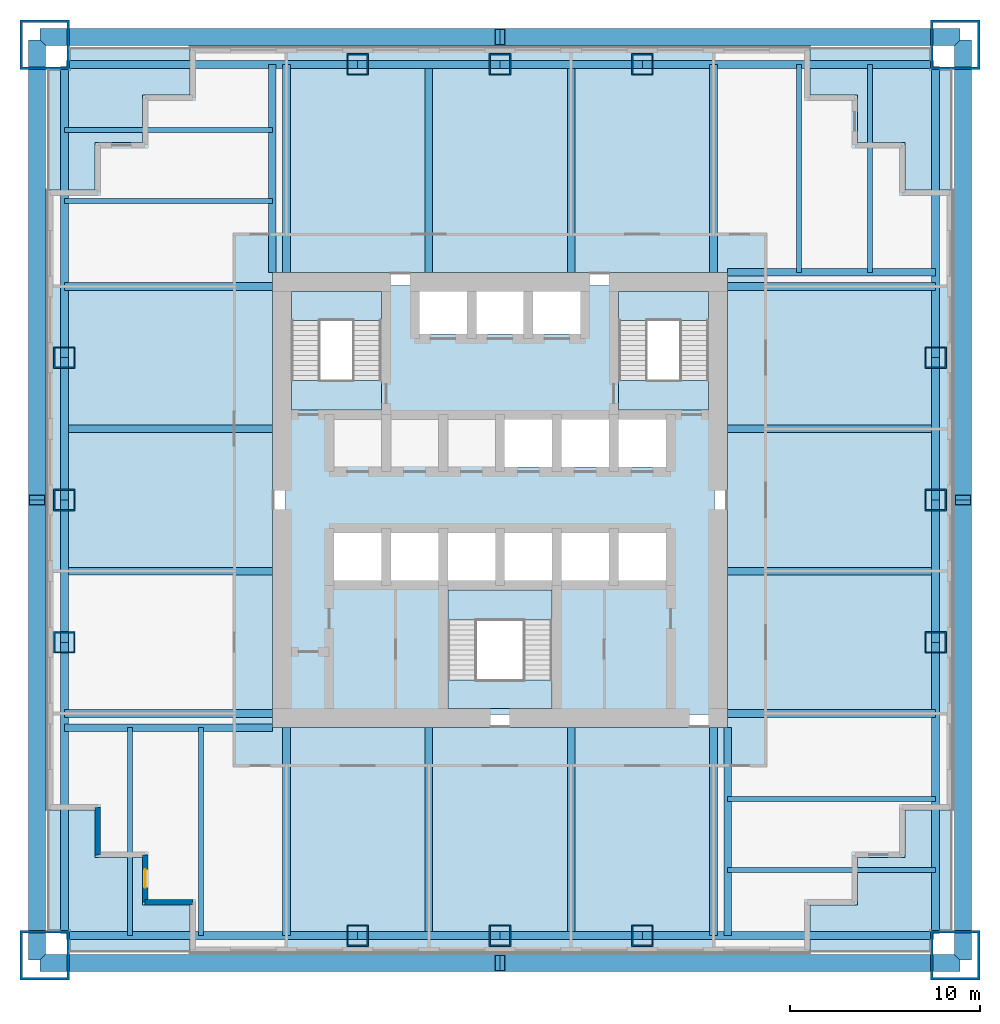
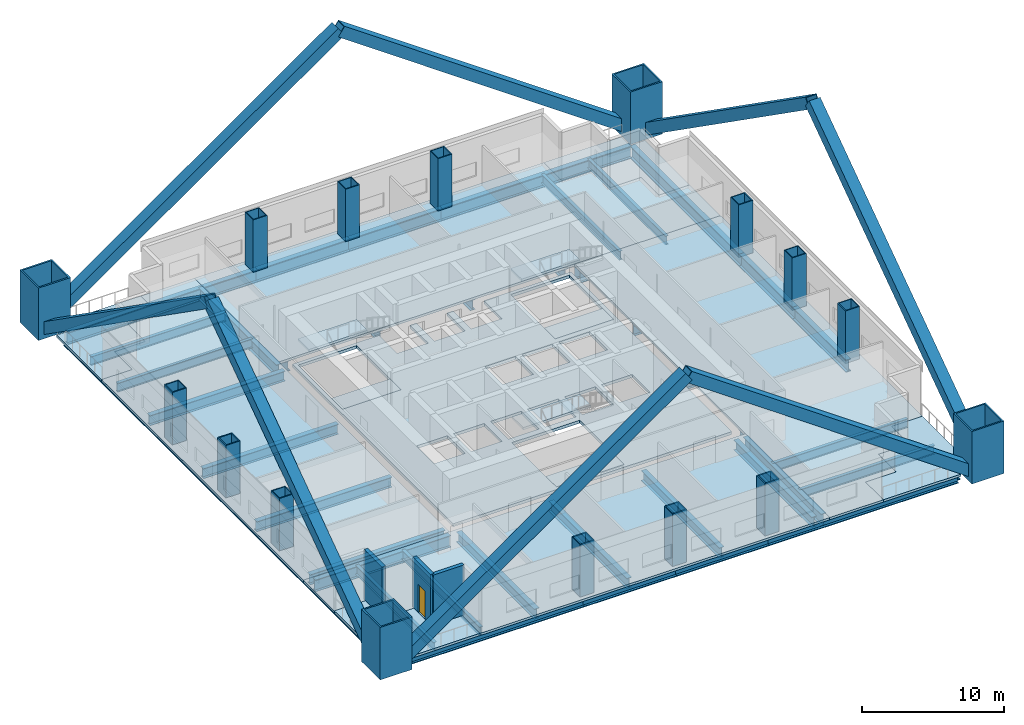
# One storey, part 1 of 6: 44 beams, 16 columns, 15 slabs, 8 members, 3 walls, 1 door, 1 opening, 3 elements without a shape of their own.
"""IFC4 building model written with IfcOpenShell, lengths in metres."""

from ifc_helpers import new_model, si_unit, direction, frame, frame_2d, origin, origin_2d, place, context, subcontext, project, spatial, polyline, rectangle, hollow_rectangle, i_section, outline, extrude, material, layer, layer_set, material_profile, profile_set, type_object, element, fill, aggregate, save


model = new_model("IFC4")

# Units and contexts
model_context = context("Model", 3, precision=1e-05, world=origin(), true_north=direction((0.0, 1.0)))
body_context = subcontext(model_context, "Body", "Model", "MODEL_VIEW")
ifc_project = project(units=[si_unit("LENGTHUNIT", "METRE"), si_unit("AREAUNIT", "SQUARE_METRE"), si_unit("VOLUMEUNIT", "CUBIC_METRE"), si_unit("PLANEANGLEUNIT", "RADIAN"), si_unit("MASSUNIT", "GRAM", prefix="KILO")], contexts=[model_context])

# Site, building, storey
site_placement = place(None, origin())
site = spatial("IfcSite", under=ifc_project, at=site_placement, CompositionType="ELEMENT")
building_placement = place(site_placement, origin())
building = spatial("IfcBuilding", under=site, at=building_placement, Name="Tarangal Relay Tower", CompositionType="ELEMENT")
storey_placement = place(building_placement, frame((0.0, 0.0, 104.39990234375)))
storey = spatial("IfcBuildingStorey", under=building, at=storey_placement, Name="L20", CompositionType="ELEMENT", Elevation=104.39990234375)

# Columns
ifc_material_1 = material(Name="Steel ASTM A572 Grade 42", Category="steel")
ifc_material_profile_1 = material_profile(ifc_material_1, hollow_rectangle(XDim=2.60009765625, YDim=2.60009765625, WallThickness=0.1298828125, at=origin_2d()), Name="BOX2600X2600X130")
ifc_profile_set_1 = profile_set([ifc_material_profile_1], Name="Steel ASTM A572 Grade 42")
column_type_1 = type_object("IfcColumnType", Name="Mega column BOX2600X2600X130", PredefinedType="COLUMN", material=ifc_profile_set_1)
for number, where, z_axis, x_axis, name in (
    (1, (24.0, 24.0, 0.0), (0.0, 0.0, 1.0), (1.0, 0.0, 0.0), "Mega column MC2 NE L20"),
    (2, (24.0, -24.0, 0.0), (0.0, 0.0, 1.0), (1.0, 0.0, 0.0), "Mega column MC2 SE L20"),
    (3, (-24.0, -24.0, 0.0), (0.0, 0.0, 1.0), (1.0, 0.0, 0.0), "Mega column MC2 SW L20"),
    (4, (-24.0, 24.0, 0.0), (0.0, 0.0, 1.0), (1.0, 0.0, 0.0), "Mega column MC2 NW L20"),
):
    element("IfcColumn", number, at=place(storey_placement, frame(where, z_axis=z_axis, x_axis=x_axis)), inside=storey, type_object=column_type_1, Name=name, PredefinedType="COLUMN", context=body_context, shape_type="SweptSolid", body=[
        extrude(hollow_rectangle(XDim=2.60009765625, YDim=2.60009765625, WallThickness=0.1298828125, at=origin_2d()), origin(), (0.0, 0.0, 1.0), 4.5),
    ])
ifc_material_2 = material(Name="Steel ASTM A572 Grade 50", Category="steel")
ifc_material_profile_2 = material_profile(ifc_material_2, hollow_rectangle(XDim=1.14990234375, YDim=1.14990234375, WallThickness=0.074951171875, at=origin_2d()), Name="BOX1150X1150X75")
ifc_profile_set_2 = profile_set([ifc_material_profile_2], Name="Steel ASTM A572 Grade 50")
column_type_2 = type_object("IfcColumnType", Name="Perimeter column BOX1150X1150X75", PredefinedType="COLUMN", material=ifc_profile_set_2)
for number, where, z_axis, x_axis, name in (
    (5, (-7.5, 22.965087890625, 0.0), (0.0, 0.0, 1.0), (1.0, 0.0, 0.0), "Perimeter column PC3 N L20"),
    (6, (0.0, 22.965087890625, 0.0), (0.0, 0.0, 1.0), (1.0, 0.0, 0.0), "Perimeter column PC3 N L20"),
    (7, (7.5, 22.965087890625, 0.0), (0.0, 0.0, 1.0), (1.0, 0.0, 0.0), "Perimeter column PC3 N L20"),
    (8, (22.965087890625, 7.5, 0.0), (0.0, 0.0, 1.0), (1.0, 0.0, 0.0), "Perimeter column PC3 E L20"),
    (9, (22.965087890625, 0.0, 0.0), (0.0, 0.0, 1.0), (1.0, 0.0, 0.0), "Perimeter column PC3 E L20"),
    (10, (22.965087890625, -7.5, 0.0), (0.0, 0.0, 1.0), (1.0, 0.0, 0.0), "Perimeter column PC3 E L20"),
    (11, (7.5, -22.965087890625, 0.0), (0.0, 0.0, 1.0), (1.0, 0.0, 0.0), "Perimeter column PC3 S L20"),
    (12, (0.0, -22.965087890625, 0.0), (0.0, 0.0, 1.0), (1.0, 0.0, 0.0), "Perimeter column PC3 S L20"),
    (13, (-7.5, -22.965087890625, 0.0), (0.0, 0.0, 1.0), (1.0, 0.0, 0.0), "Perimeter column PC3 S L20"),
    (14, (-22.965087890625, -7.5, 0.0), (0.0, 0.0, 1.0), (1.0, 0.0, 0.0), "Perimeter column PC3 W L20"),
    (15, (-22.965087890625, 0.0, 0.0), (0.0, 0.0, 1.0), (1.0, 0.0, 0.0), "Perimeter column PC3 W L20"),
    (16, (-22.965087890625, 7.5, 0.0), (0.0, 0.0, 1.0), (1.0, 0.0, 0.0), "Perimeter column PC3 W L20"),
):
    element("IfcColumn", number, at=place(storey_placement, frame(where, z_axis=z_axis, x_axis=x_axis)), inside=storey, type_object=column_type_2, Name=name, PredefinedType="COLUMN", context=body_context, shape_type="SweptSolid", body=[
        extrude(hollow_rectangle(XDim=1.14990234375, YDim=1.14990234375, WallThickness=0.074951171875, at=origin_2d()), origin(), (0.0, 0.0, 1.0), 4.5),
    ])

# Beams
ifc_material_3 = material(Name="Steel ASTM A992", Category="steel")
ifc_material_profile_3 = material_profile(ifc_material_3, i_section(OverallWidth=0.2666015625, OverallDepth=0.76953125, WebThickness=0.015625, FlangeThickness=0.025390625, at=origin_2d()), Name="W30X132")
ifc_profile_set_3 = profile_set([ifc_material_profile_3], Name="Steel ASTM A992")
beam_type_1 = type_object("IfcBeamType", Name="Corner beam W30X132", PredefinedType="JOIST", material=ifc_profile_set_3)
for number, where, z_axis, x_axis, name in (
    (17, (15.75, 12.0, -0.584716796875), (0.0, 1.0, 0.0), (-1.0, 0.0, 0.0), "Corner beam CB13 N L20"),
    (18, (19.5, 12.0, -0.584716796875), (0.0, 1.0, 0.0), (-1.0, 0.0, 0.0), "Corner beam CB13 N L20"),
    (19, (12.0, -15.75, -0.584716796875), (1.0, 0.0, 0.0), (0.0, 1.0, 0.0), "Corner beam CB13 E L20"),
    (20, (12.0, -19.5, -0.584716796875), (1.0, 0.0, 0.0), (0.0, 1.0, 0.0), "Corner beam CB13 E L20"),
    (21, (-15.75, -12.0, -0.584716796875), (0.0, -1.0, 0.0), (1.0, 0.0, 0.0), "Corner beam CB13 S L20"),
    (22, (-19.5, -12.0, -0.584716796875), (0.0, -1.0, 0.0), (1.0, 0.0, 0.0), "Corner beam CB13 S L20"),
    (23, (-12.0, 15.75, -0.584716796875), (-1.0, 0.0, 0.0), (0.0, -1.0, 0.0), "Corner beam CB13 W L20"),
    (24, (-12.0, 19.5, -0.584716796875), (-1.0, 0.0, 0.0), (0.0, -1.0, 0.0), "Corner beam CB13 W L20"),
):
    element("IfcBeam", number, at=place(storey_placement, frame(where, z_axis=z_axis, x_axis=x_axis)), inside=storey, type_object=beam_type_1, Name=name, PredefinedType="JOIST", context=body_context, shape_type="SweptSolid", body=[
        extrude(i_section(OverallWidth=0.2666015625, OverallDepth=0.76953125, WebThickness=0.015625, FlangeThickness=0.025390625, at=origin_2d()), origin(), (0.0, 0.0, 1.0), 10.965087890625),
    ])
ifc_material_profile_4 = material_profile(ifc_material_3, i_section(OverallWidth=0.4013671875, OverallDepth=1.01611328125, WebThickness=0.02099609375, FlangeThickness=0.0400390625, at=origin_2d()), Name="W40X277")
ifc_profile_set_4 = profile_set([ifc_material_profile_4], Name="Steel ASTM A992")
beam_type_2 = type_object("IfcBeamType", Name="Corner girder W40X277", PredefinedType="BEAM", material=ifc_profile_set_4)
for number, where, z_axis, x_axis, name in (
    (25, (12.0, 12.0, -0.7080078125), (1.0, 0.0, 0.0), (0.0, 1.0, 0.0), "Corner girder CG3 N L20"),
    (26, (12.0, -12.0, -0.7080078125), (0.0, -1.0, 0.0), (1.0, 0.0, 0.0), "Corner girder CG3 E L20"),
    (27, (-12.0, -12.0, -0.7080078125), (-1.0, 0.0, 0.0), (0.0, -1.0, 0.0), "Corner girder CG3 S L20"),
    (28, (-12.0, 12.0, -0.7080078125), (0.0, 1.0, 0.0), (-1.0, 0.0, 0.0), "Corner girder CG3 W L20"),
):
    element("IfcBeam", number, at=place(storey_placement, frame(where, z_axis=z_axis, x_axis=x_axis)), inside=storey, type_object=beam_type_2, Name=name, PredefinedType="BEAM", context=body_context, shape_type="SweptSolid", body=[
        extrude(i_section(OverallWidth=0.4013671875, OverallDepth=1.01611328125, WebThickness=0.02099609375, FlangeThickness=0.0400390625, at=origin_2d()), origin(), (0.0, 0.0, 1.0), 10.965087890625),
    ])
ifc_material_profile_5 = material_profile(ifc_material_3, i_section(OverallWidth=0.41650390625, OverallDepth=1.0693359375, WebThickness=0.0390625, FlangeThickness=0.070068359375, at=origin_2d()), Name="W40X503")
ifc_profile_set_5 = profile_set([ifc_material_profile_5], Name="Steel ASTM A992")
beam_type_3 = type_object("IfcBeamType", Name="Edge girder W40X503", PredefinedType="SPANDREL", material=ifc_profile_set_5)
beam_1_placement = place(storey_placement, frame((-22.85009765625, 22.965087890625, -0.734619140625), z_axis=(1.0, 0.0, 0.0), x_axis=(0.0, 1.0, 0.0)))
element("IfcBeam", 29, at=beam_1_placement, inside=storey, type_object=beam_type_3, Name="Edge girder EG8 N L20", PredefinedType="SPANDREL", context=body_context, shape_type="SweptSolid", body=[
    extrude(i_section(OverallWidth=0.41650390625, OverallDepth=1.0693359375, WebThickness=0.0390625, FlangeThickness=0.070068359375, at=origin_2d()), origin(), (0.0, 0.0, 1.0), 15.35009765625),
])
for number, where, z_axis, x_axis, name in (
    (30, (-7.5, 22.965087890625, -0.734619140625), (1.0, 0.0, 0.0), (0.0, 1.0, 0.0), "Edge girder EG8 N L20"),
    (31, (0.0, 22.965087890625, -0.734619140625), (1.0, 0.0, 0.0), (0.0, 1.0, 0.0), "Edge girder EG8 N L20"),
):
    element("IfcBeam", number, at=place(storey_placement, frame(where, z_axis=z_axis, x_axis=x_axis)), inside=storey, type_object=beam_type_3, Name=name, PredefinedType="SPANDREL", context=body_context, shape_type="SweptSolid", body=[
        extrude(i_section(OverallWidth=0.41650390625, OverallDepth=1.0693359375, WebThickness=0.0390625, FlangeThickness=0.070068359375, at=origin_2d()), origin(), (0.0, 0.0, 1.0), 7.5),
    ])
for number, where, z_axis, x_axis, name in (
    (32, (7.5, 22.965087890625, -0.734619140625), (1.0, 0.0, 0.0), (0.0, 1.0, 0.0), "Edge girder EG8 N L20"),
    (33, (22.965087890625, 22.85009765625, -0.734619140625), (0.0, -1.0, 0.0), (1.0, 0.0, 0.0), "Edge girder EG8 E L20"),
):
    element("IfcBeam", number, at=place(storey_placement, frame(where, z_axis=z_axis, x_axis=x_axis)), inside=storey, type_object=beam_type_3, Name=name, PredefinedType="SPANDREL", context=body_context, shape_type="SweptSolid", body=[
        extrude(i_section(OverallWidth=0.41650390625, OverallDepth=1.0693359375, WebThickness=0.0390625, FlangeThickness=0.070068359375, at=origin_2d()), origin(), (0.0, 0.0, 1.0), 15.35009765625),
    ])
for number, where, z_axis, x_axis, name in (
    (34, (22.965087890625, 7.5, -0.734619140625), (0.0, -1.0, 0.0), (1.0, 0.0, 0.0), "Edge girder EG8 E L20"),
    (35, (22.965087890625, 0.0, -0.734619140625), (0.0, -1.0, 0.0), (1.0, 0.0, 0.0), "Edge girder EG8 E L20"),
):
    element("IfcBeam", number, at=place(storey_placement, frame(where, z_axis=z_axis, x_axis=x_axis)), inside=storey, type_object=beam_type_3, Name=name, PredefinedType="SPANDREL", context=body_context, shape_type="SweptSolid", body=[
        extrude(i_section(OverallWidth=0.41650390625, OverallDepth=1.0693359375, WebThickness=0.0390625, FlangeThickness=0.070068359375, at=origin_2d()), origin(), (0.0, 0.0, 1.0), 7.5),
    ])
for number, where, z_axis, x_axis, name in (
    (36, (22.965087890625, -7.5, -0.734619140625), (0.0, -1.0, 0.0), (1.0, 0.0, 0.0), "Edge girder EG8 E L20"),
    (37, (22.85009765625, -22.965087890625, -0.734619140625), (-1.0, 0.0, 0.0), (0.0, -1.0, 0.0), "Edge girder EG8 S L20"),
):
    element("IfcBeam", number, at=place(storey_placement, frame(where, z_axis=z_axis, x_axis=x_axis)), inside=storey, type_object=beam_type_3, Name=name, PredefinedType="SPANDREL", context=body_context, shape_type="SweptSolid", body=[
        extrude(i_section(OverallWidth=0.41650390625, OverallDepth=1.0693359375, WebThickness=0.0390625, FlangeThickness=0.070068359375, at=origin_2d()), origin(), (0.0, 0.0, 1.0), 15.35009765625),
    ])
for number, where, z_axis, x_axis, name in (
    (38, (7.5, -22.965087890625, -0.734619140625), (-1.0, 0.0, 0.0), (0.0, -1.0, 0.0), "Edge girder EG8 S L20"),
    (39, (0.0, -22.965087890625, -0.734619140625), (-1.0, 0.0, 0.0), (0.0, -1.0, 0.0), "Edge girder EG8 S L20"),
):
    element("IfcBeam", number, at=place(storey_placement, frame(where, z_axis=z_axis, x_axis=x_axis)), inside=storey, type_object=beam_type_3, Name=name, PredefinedType="SPANDREL", context=body_context, shape_type="SweptSolid", body=[
        extrude(i_section(OverallWidth=0.41650390625, OverallDepth=1.0693359375, WebThickness=0.0390625, FlangeThickness=0.070068359375, at=origin_2d()), origin(), (0.0, 0.0, 1.0), 7.5),
    ])
for number, where, z_axis, x_axis, name in (
    (40, (-7.5, -22.965087890625, -0.734619140625), (-1.0, 0.0, 0.0), (0.0, -1.0, 0.0), "Edge girder EG8 S L20"),
    (41, (-22.965087890625, -22.85009765625, -0.734619140625), (0.0, 1.0, 0.0), (-1.0, 0.0, 0.0), "Edge girder EG8 W L20"),
):
    element("IfcBeam", number, at=place(storey_placement, frame(where, z_axis=z_axis, x_axis=x_axis)), inside=storey, type_object=beam_type_3, Name=name, PredefinedType="SPANDREL", context=body_context, shape_type="SweptSolid", body=[
        extrude(i_section(OverallWidth=0.41650390625, OverallDepth=1.0693359375, WebThickness=0.0390625, FlangeThickness=0.070068359375, at=origin_2d()), origin(), (0.0, 0.0, 1.0), 15.35009765625),
    ])
for number, where, z_axis, x_axis, name in (
    (42, (-22.965087890625, -7.5, -0.734619140625), (0.0, 1.0, 0.0), (-1.0, 0.0, 0.0), "Edge girder EG8 W L20"),
    (43, (-22.965087890625, 0.0, -0.734619140625), (0.0, 1.0, 0.0), (-1.0, 0.0, 0.0), "Edge girder EG8 W L20"),
):
    element("IfcBeam", number, at=place(storey_placement, frame(where, z_axis=z_axis, x_axis=x_axis)), inside=storey, type_object=beam_type_3, Name=name, PredefinedType="SPANDREL", context=body_context, shape_type="SweptSolid", body=[
        extrude(i_section(OverallWidth=0.41650390625, OverallDepth=1.0693359375, WebThickness=0.0390625, FlangeThickness=0.070068359375, at=origin_2d()), origin(), (0.0, 0.0, 1.0), 7.5),
    ])
beam_2_placement = place(storey_placement, frame((-22.965087890625, 7.5, -0.734619140625), z_axis=(0.0, 1.0, 0.0), x_axis=(-1.0, 0.0, 0.0)))
element("IfcBeam", 44, at=beam_2_placement, inside=storey, type_object=beam_type_3, Name="Edge girder EG8 W L20", PredefinedType="SPANDREL", context=body_context, shape_type="SweptSolid", body=[
    extrude(i_section(OverallWidth=0.41650390625, OverallDepth=1.0693359375, WebThickness=0.0390625, FlangeThickness=0.070068359375, at=origin_2d()), origin(), (0.0, 0.0, 1.0), 15.35009765625),
])
ifc_material_profile_6 = material_profile(ifc_material_3, i_section(OverallWidth=0.40380859375, OverallDepth=0.86865234375, WebThickness=0.02099609375, FlangeThickness=0.03564453125, at=origin_2d()), Name="W33X241")
ifc_profile_set_6 = profile_set([ifc_material_profile_6], Name="Steel ASTM A992")
beam_type_4 = type_object("IfcBeamType", Name="Floor beam W33X241", PredefinedType="BEAM", material=ifc_profile_set_6)
for number, where, z_axis, x_axis, name in (
    (45, (-11.25, 12.0, -0.63427734375), (0.0, 1.0, 0.0), (-1.0, 0.0, 0.0), "Floor beam RB11 N L20"),
    (46, (-3.75, 12.0, -0.63427734375), (0.0, 1.0, 0.0), (-1.0, 0.0, 0.0), "Floor beam RB11 N L20"),
    (47, (3.75, 12.0, -0.63427734375), (0.0, 1.0, 0.0), (-1.0, 0.0, 0.0), "Floor beam RB11 N L20"),
    (48, (11.25, 12.0, -0.63427734375), (0.0, 1.0, 0.0), (-1.0, 0.0, 0.0), "Floor beam RB11 N L20"),
    (49, (12.0, 11.25, -0.63427734375), (1.0, 0.0, 0.0), (0.0, 1.0, 0.0), "Floor beam RB11 E L20"),
    (50, (12.0, 3.75, -0.63427734375), (1.0, 0.0, 0.0), (0.0, 1.0, 0.0), "Floor beam RB11 E L20"),
    (51, (12.0, -3.75, -0.63427734375), (1.0, 0.0, 0.0), (0.0, 1.0, 0.0), "Floor beam RB11 E L20"),
    (52, (12.0, -11.25, -0.63427734375), (1.0, 0.0, 0.0), (0.0, 1.0, 0.0), "Floor beam RB11 E L20"),
    (53, (11.25, -12.0, -0.63427734375), (0.0, -1.0, 0.0), (1.0, 0.0, 0.0), "Floor beam RB11 S L20"),
    (54, (3.75, -12.0, -0.63427734375), (0.0, -1.0, 0.0), (1.0, 0.0, 0.0), "Floor beam RB11 S L20"),
    (55, (-3.75, -12.0, -0.63427734375), (0.0, -1.0, 0.0), (1.0, 0.0, 0.0), "Floor beam RB11 S L20"),
    (56, (-11.25, -12.0, -0.63427734375), (0.0, -1.0, 0.0), (1.0, 0.0, 0.0), "Floor beam RB11 S L20"),
    (57, (-12.0, -11.25, -0.63427734375), (-1.0, 0.0, 0.0), (0.0, -1.0, 0.0), "Floor beam RB11 W L20"),
    (58, (-12.0, -3.75, -0.63427734375), (-1.0, 0.0, 0.0), (0.0, -1.0, 0.0), "Floor beam RB11 W L20"),
    (59, (-12.0, 3.75, -0.63427734375), (-1.0, 0.0, 0.0), (0.0, -1.0, 0.0), "Floor beam RB11 W L20"),
    (60, (-12.0, 11.25, -0.63427734375), (-1.0, 0.0, 0.0), (0.0, -1.0, 0.0), "Floor beam RB11 W L20"),
):
    element("IfcBeam", number, at=place(storey_placement, frame(where, z_axis=z_axis, x_axis=x_axis)), inside=storey, type_object=beam_type_4, Name=name, PredefinedType="BEAM", context=body_context, shape_type="SweptSolid", body=[
        extrude(i_section(OverallWidth=0.40380859375, OverallDepth=0.86865234375, WebThickness=0.02099609375, FlangeThickness=0.03564453125, at=origin_2d()), origin(), (0.0, 0.0, 1.0), 10.965087890625),
    ])

# Members
ifc_material_profile_7 = material_profile(ifc_material_2, hollow_rectangle(XDim=0.89990234375, YDim=0.89990234375, WallThickness=0.050048828125, at=origin_2d()), Name="BOX900X900X50")
ifc_profile_set_7 = profile_set([ifc_material_profile_7], Name="Steel ASTM A572 Grade 50")
member_type = type_object("IfcMemberType", Name="Mega brace BOX900X900X50", PredefinedType="BRACE", material=ifc_profile_set_7)
for number, where, z_axis, x_axis, name in (
    (61, (-24.0, 24.39990234375, 0.0), (0.818029158386, 0.0, 0.57517675199), (0.0, 1.0, 0.0), "Mega brace MB2 N face module 1"),
    (62, (24.0, 24.39990234375, 0.0), (-0.818029158386, 0.0, 0.57517675199), (0.0, -1.0, 0.0), "Mega brace MB2 N face module 1"),
    (63, (24.39990234375, 24.0, 0.0), (0.0, -0.818029158386, 0.57517675199), (1.0, 0.0, 0.0), "Mega brace MB2 E face module 1"),
    (64, (24.39990234375, -24.0, 0.0), (0.0, 0.818029158386, 0.57517675199), (-1.0, 0.0, 0.0), "Mega brace MB2 E face module 1"),
    (65, (24.0, -24.39990234375, 0.0), (-0.818029158386, 0.0, 0.57517675199), (0.0, -1.0, 0.0), "Mega brace MB2 S face module 1"),
    (66, (-24.0, -24.39990234375, 0.0), (0.818029158386, 0.0, 0.57517675199), (0.0, 1.0, 0.0), "Mega brace MB2 S face module 1"),
    (67, (-24.39990234375, -24.0, 0.0), (0.0, 0.818029158386, 0.57517675199), (-1.0, 0.0, 0.0), "Mega brace MB2 W face module 1"),
    (68, (-24.39990234375, 24.0, 0.0), (0.0, -0.818029158386, 0.57517675199), (1.0, 0.0, 0.0), "Mega brace MB2 W face module 1"),
):
    element("IfcMember", number, at=place(storey_placement, frame(where, z_axis=z_axis, x_axis=x_axis)), inside=storey, type_object=member_type, Name=name, PredefinedType="BRACE", context=body_context, shape_type="SweptSolid", body=[
        extrude(hollow_rectangle(XDim=0.89990234375, YDim=0.89990234375, WallThickness=0.050048828125, at=origin_2d()), origin(), (0.0, 0.0, 1.0), 29.3388671875),
    ])

# Slabs
ifc_material_4 = material(Name="Concrete fc' 35 MPa", Category="concrete")
ifc_layer_1 = layer(ifc_material_4, 0.25)
ifc_layer_set_1 = layer_set([ifc_layer_1], Name="Core floor slab 250")
slab_type_1 = type_object("IfcSlabType", Name="Core floor slab 250", PredefinedType="FLOOR", material=ifc_layer_set_1)
slab_1_placement = place(storey_placement, frame((0.0, 0.0, -0.25)))
element("IfcSlab", 69, at=slab_1_placement, inside=storey, type_object=slab_type_1, Name="Core floor slab L20", PredefinedType="FLOOR", context=body_context, shape_type="SweptSolid", body=[
    extrude(outline(polyline([(11.300048828125, 11.300048828125), (11.300048828125, -11.300048828125), (-11.300048828125, -11.300048828125), (-11.300048828125, 11.300048828125), (-4.25, 11.300048828125), (-4.25, 8.75), (-1.75, 8.75), (-1.75, 11.300048828125), (-1.25, 11.300048828125), (-1.25, 8.75), (1.25, 8.75), (1.25, 11.300048828125), (1.75, 11.300048828125), (1.75, 8.75), (4.25, 8.75), (4.25, 11.300048828125), (11.300048828125, 11.300048828125)]), holes=[polyline([(2.75, -4.75), (-2.75, -4.75), (-2.75, -11.0), (2.75, -11.0), (2.75, -4.75)]), polyline([(-6.25, -4.25), (-6.25, -1.75), (-8.75, -1.75), (-8.75, -4.25), (-6.25, -4.25)]), polyline([(-3.25, -4.25), (-3.25, -1.75), (-5.75, -1.75), (-5.75, -4.25), (-3.25, -4.25)]), polyline([(-0.25, -4.25), (-0.25, -1.75), (-2.75, -1.75), (-2.75, -4.25), (-0.25, -4.25)]), polyline([(2.75, 1.75), (2.75, 4.25), (0.25, 4.25), (0.25, 1.75), (2.75, 1.75)]), polyline([(-6.25, 4.75), (-6.25, 11.0), (-11.0, 11.0), (-11.0, 4.75), (-6.25, 4.75)]), polyline([(2.75, -4.25), (2.75, -1.75), (0.25, -1.75), (0.25, -4.25), (2.75, -4.25)]), polyline([(5.75, -4.25), (5.75, -1.75), (3.25, -1.75), (3.25, -4.25), (5.75, -4.25)]), polyline([(8.75, -4.25), (8.75, -1.75), (6.25, -1.75), (6.25, -4.25), (8.75, -4.25)]), polyline([(5.75, 1.75), (5.75, 4.25), (3.25, 4.25), (3.25, 1.75), (5.75, 1.75)]), polyline([(8.75, 1.75), (8.75, 4.25), (6.25, 4.25), (6.25, 1.75), (8.75, 1.75)]), polyline([(11.0, 4.75), (11.0, 11.0), (6.25, 11.0), (6.25, 4.75), (11.0, 4.75)])]), origin(), (0.0, 0.0, 1.0), 0.25),
])
ifc_layer_2 = layer(ifc_material_4, 0.199951171875)
ifc_layer_set_2 = layer_set([ifc_layer_2], Name="Floor slab 200")
slab_type_2 = type_object("IfcSlabType", Name="Floor slab 200", PredefinedType="FLOOR", material=ifc_layer_set_2)
slab_2_placement = place(storey_placement, frame((0.0, 0.0, -0.199951171875)))
element("IfcSlab", 70, at=slab_2_placement, inside=storey, type_object=slab_type_2, Name="Floor slab FS2 L20 north bay", PredefinedType="FLOOR", context=body_context, shape_type="SweptSolid", body=[
    extrude(outline(polyline([(16.35009765625, 23.85009765625), (16.35009765625, 21.35009765625), (18.85009765625, 21.35009765625), (18.85009765625, 18.85009765625), (21.35009765625, 18.85009765625), (21.35009765625, 16.35009765625), (23.85009765625, 16.35009765625), (23.85009765625, 12.0), (-12.0, 12.0), (-12.0, 23.85009765625), (16.35009765625, 23.85009765625)])), origin(), (0.0, 0.0, 1.0), 0.199951171875),
])
slab_3_placement = place(storey_placement, frame((0.0, 0.0, -0.199951171875)))
element("IfcSlab", 71, at=slab_3_placement, inside=storey, type_object=slab_type_2, Name="Floor slab FS2 L20 east bay", PredefinedType="FLOOR", context=body_context, shape_type="SweptSolid", body=[
    extrude(outline(polyline([(23.85009765625, -16.35009765625), (21.35009765625, -16.35009765625), (21.35009765625, -18.85009765625), (18.85009765625, -18.85009765625), (18.85009765625, -21.35009765625), (16.35009765625, -21.35009765625), (16.35009765625, -23.85009765625), (12.0, -23.85009765625), (12.0, 12.0), (23.85009765625, 12.0), (23.85009765625, -16.35009765625)])), origin(), (0.0, 0.0, 1.0), 0.199951171875),
])
slab_4_placement = place(storey_placement, frame((0.0, 0.0, -0.199951171875)))
element("IfcSlab", 72, at=slab_4_placement, inside=storey, type_object=slab_type_2, Name="Floor slab FS2 L20 south bay", PredefinedType="FLOOR", context=body_context, shape_type="SweptSolid", body=[
    extrude(outline(polyline([(-16.35009765625, -23.85009765625), (-16.35009765625, -21.35009765625), (-18.85009765625, -21.35009765625), (-18.85009765625, -18.85009765625), (-21.35009765625, -18.85009765625), (-21.35009765625, -16.35009765625), (-23.85009765625, -16.35009765625), (-23.85009765625, -12.0), (12.0, -12.0), (12.0, -23.85009765625), (-16.35009765625, -23.85009765625)])), origin(), (0.0, 0.0, 1.0), 0.199951171875),
])
slab_5_placement = place(storey_placement, frame((0.0, 0.0, -0.199951171875)))
element("IfcSlab", 73, at=slab_5_placement, inside=storey, type_object=slab_type_2, Name="Floor slab FS2 L20 west bay", PredefinedType="FLOOR", context=body_context, shape_type="SweptSolid", body=[
    extrude(outline(polyline([(-12.0, 23.85009765625), (-12.0, -12.0), (-23.85009765625, -12.0), (-23.85009765625, 16.35009765625), (-21.35009765625, 16.35009765625), (-21.35009765625, 18.85009765625), (-18.85009765625, 18.85009765625), (-18.85009765625, 21.35009765625), (-16.35009765625, 21.35009765625), (-16.35009765625, 23.85009765625), (-12.0, 23.85009765625)])), origin(), (0.0, 0.0, 1.0), 0.199951171875),
])

# Stair, slabs
ifc_material_5 = material(Name="Steel ASTM A992 stair flight", Category="steel")
stair_type = type_object("IfcStairType", Name="Core stair 1500", PredefinedType="HALF_TURN_STAIR", material=ifc_material_5)
stair_1_placement = place(storey_placement, origin())
stair_1 = element("IfcStair", 74, at=stair_1_placement, inside=storey, type_object=stair_type, Name="Stair ST-A L20", PredefinedType="HALF_TURN_STAIR")
ifc_layer_3 = layer(ifc_material_4, 0.199951171875)
ifc_layer_set_3 = layer_set([ifc_layer_3], Name="Stair landing 200")
slab_type_3 = type_object("IfcSlabType", Name="Stair landing 200", PredefinedType="LANDING", material=ifc_layer_set_3)
slab_6_placement = place(storey_placement, frame((0.0, 0.0, -0.199951171875)))
slab_6 = element("IfcSlab", 75, at=slab_6_placement, type_object=slab_type_3, Name="ST-A landing 1", PredefinedType="LANDING", context=body_context, shape_type="SweptSolid", body=[
    extrude(outline(polyline([(-11.0, 4.75), (-6.25, 4.75), (-6.25, 6.300048828125), (-11.0, 6.300048828125), (-11.0, 4.75)])), origin(), (0.0, 0.0, 1.0), 0.199951171875),
])
slab_7_placement = place(storey_placement, frame((0.0, 0.0, 2.050048828125)))
slab_7 = element("IfcSlab", 76, at=slab_7_placement, type_object=slab_type_3, Name="ST-A landing 2", PredefinedType="LANDING", context=body_context, shape_type="SweptSolid", body=[
    extrude(outline(polyline([(-11.0, 9.468017578125), (-6.25, 9.468017578125), (-6.25, 11.0), (-11.0, 11.0), (-11.0, 9.468017578125)])), origin(), (0.0, 0.0, 1.0), 0.199951171875),
])
aggregate(stair_1, [slab_6, slab_7])

stair_2_placement = place(storey_placement, origin())
stair_2 = element("IfcStair", 77, at=stair_2_placement, inside=storey, type_object=stair_type, Name="Stair ST-B L20", PredefinedType="HALF_TURN_STAIR")
slab_8_placement = place(storey_placement, frame((0.0, 0.0, -0.199951171875)))
slab_8 = element("IfcSlab", 78, at=slab_8_placement, type_object=slab_type_3, Name="ST-B landing 1", PredefinedType="LANDING", context=body_context, shape_type="SweptSolid", body=[
    extrude(outline(polyline([(6.25, 4.75), (11.0, 4.75), (11.0, 6.300048828125), (6.25, 6.300048828125), (6.25, 4.75)])), origin(), (0.0, 0.0, 1.0), 0.199951171875),
])
slab_9_placement = place(storey_placement, frame((0.0, 0.0, 2.050048828125)))
slab_9 = element("IfcSlab", 79, at=slab_9_placement, type_object=slab_type_3, Name="ST-B landing 2", PredefinedType="LANDING", context=body_context, shape_type="SweptSolid", body=[
    extrude(outline(polyline([(6.25, 9.468017578125), (11.0, 9.468017578125), (11.0, 11.0), (6.25, 11.0), (6.25, 9.468017578125)])), origin(), (0.0, 0.0, 1.0), 0.199951171875),
])
aggregate(stair_2, [slab_8, slab_9])

stair_3_placement = place(storey_placement, origin())
stair_3 = element("IfcStair", 80, at=stair_3_placement, inside=storey, type_object=stair_type, Name="Stair ST-C L20", PredefinedType="HALF_TURN_STAIR")
slab_10_placement = place(storey_placement, frame((0.0, 0.0, -0.199951171875)))
slab_10 = element("IfcSlab", 81, at=slab_10_placement, type_object=slab_type_3, Name="ST-C landing 1", PredefinedType="LANDING", context=body_context, shape_type="SweptSolid", body=[
    extrude(outline(polyline([(-2.75, -11.0), (2.75, -11.0), (2.75, -9.5), (-2.75, -9.5), (-2.75, -11.0)])), origin(), (0.0, 0.0, 1.0), 0.199951171875),
])
slab_11_placement = place(storey_placement, frame((0.0, 0.0, 2.050048828125)))
slab_11 = element("IfcSlab", 82, at=slab_11_placement, type_object=slab_type_3, Name="ST-C landing 2", PredefinedType="LANDING", context=body_context, shape_type="SweptSolid", body=[
    extrude(outline(polyline([(-2.75, -6.33203125), (2.75, -6.33203125), (2.75, -4.75), (-2.75, -4.75), (-2.75, -6.33203125)])), origin(), (0.0, 0.0, 1.0), 0.199951171875),
])
aggregate(stair_3, [slab_10, slab_11])

# Slabs
ifc_layer_4 = layer(ifc_material_4, 0.199951171875)
ifc_layer_set_4 = layer_set([ifc_layer_4], Name="Terrace slab 200")
slab_type_4 = type_object("IfcSlabType", Name="Terrace slab 200", PredefinedType="FLOOR", material=ifc_layer_set_4)
slab_12_placement = place(storey_placement, frame((0.0, 0.0, -0.199951171875)))
element("IfcSlab", 83, at=slab_12_placement, inside=storey, type_object=slab_type_4, Name="Corner terrace NE L20", PredefinedType="FLOOR", context=body_context, shape_type="SweptSolid", body=[
    extrude(outline(polyline([(16.35009765625, 23.85009765625), (16.35009765625, 21.35009765625), (18.85009765625, 21.35009765625), (18.85009765625, 18.85009765625), (21.35009765625, 18.85009765625), (21.35009765625, 16.35009765625), (23.85009765625, 16.35009765625), (23.85009765625, 22.64990234375), (22.64990234375, 22.64990234375), (22.64990234375, 23.85009765625), (16.35009765625, 23.85009765625)])), origin(), (0.0, 0.0, 1.0), 0.199951171875),
])
slab_13_placement = place(storey_placement, frame((0.0, 0.0, -0.199951171875)))
element("IfcSlab", 84, at=slab_13_placement, inside=storey, type_object=slab_type_4, Name="Corner terrace SE L20", PredefinedType="FLOOR", context=body_context, shape_type="SweptSolid", body=[
    extrude(outline(polyline([(23.85009765625, -16.35009765625), (21.35009765625, -16.35009765625), (21.35009765625, -18.85009765625), (18.85009765625, -18.85009765625), (18.85009765625, -21.35009765625), (16.35009765625, -21.35009765625), (16.35009765625, -23.85009765625), (22.64990234375, -23.85009765625), (22.64990234375, -22.64990234375), (23.85009765625, -22.64990234375), (23.85009765625, -16.35009765625)])), origin(), (0.0, 0.0, 1.0), 0.199951171875),
])
slab_14_placement = place(storey_placement, frame((0.0, 0.0, -0.199951171875)))
element("IfcSlab", 85, at=slab_14_placement, inside=storey, type_object=slab_type_4, Name="Corner terrace SW L20", PredefinedType="FLOOR", context=body_context, shape_type="SweptSolid", body=[
    extrude(outline(polyline([(-16.35009765625, -23.85009765625), (-16.35009765625, -21.35009765625), (-18.85009765625, -21.35009765625), (-18.85009765625, -18.85009765625), (-21.35009765625, -18.85009765625), (-21.35009765625, -16.35009765625), (-23.85009765625, -16.35009765625), (-23.85009765625, -22.64990234375), (-22.64990234375, -22.64990234375), (-22.64990234375, -23.85009765625), (-16.35009765625, -23.85009765625)])), origin(), (0.0, 0.0, 1.0), 0.199951171875),
])
slab_15_placement = place(storey_placement, frame((0.0, 0.0, -0.199951171875)))
element("IfcSlab", 86, at=slab_15_placement, inside=storey, type_object=slab_type_4, Name="Corner terrace NW L20", PredefinedType="FLOOR", context=body_context, shape_type="SweptSolid", body=[
    extrude(outline(polyline([(-23.85009765625, 16.35009765625), (-21.35009765625, 16.35009765625), (-21.35009765625, 18.85009765625), (-18.85009765625, 18.85009765625), (-18.85009765625, 21.35009765625), (-16.35009765625, 21.35009765625), (-16.35009765625, 23.85009765625), (-22.64990234375, 23.85009765625), (-22.64990234375, 22.64990234375), (-23.85009765625, 22.64990234375), (-23.85009765625, 16.35009765625)])), origin(), (0.0, 0.0, 1.0), 0.199951171875),
])

# Wall
ifc_material_6 = material(Name="Insulated precast concrete fc' 40 MPa", Category="concrete")
ifc_layer_5 = layer(ifc_material_6, 0.300048828125)
ifc_layer_set_5 = layer_set([ifc_layer_5], Name="Insulated precast concrete fc' 40 MPa")
wall_type = type_object("IfcWallType", Name="Facade wall precast 300", PredefinedType="SOLIDWALL", material=ifc_layer_set_5)
wall_1_placement = place(storey_placement, frame((-16.199951171875, -21.199951171875, 0.0), z_axis=(0.0, 0.0, 1.0), x_axis=(-1.0, 0.0, 0.0)))
element("IfcWall", 87, at=wall_1_placement, inside=storey, type_object=wall_type, Name="Facade wall S facade L20", PredefinedType="SOLIDWALL", context=body_context, shape_type="SweptSolid", body=[
    extrude(rectangle(XDim=2.5, YDim=0.300048828125, at=frame_2d((1.25, 0.0))), origin(), (0.0, 0.0, 1.0), 4.300048828125),
])

# Wall, opening, door
wall_2_placement = place(storey_placement, frame((-18.699951171875, -21.199951171875, 0.0), z_axis=(0.0, 0.0, 1.0), x_axis=(0.0, 1.0, 0.0)))
wall_2 = element("IfcWall", 88, at=wall_2_placement, inside=storey, type_object=wall_type, Name="Facade wall S facade L20", PredefinedType="SOLIDWALL", context=body_context, shape_type="SweptSolid", body=[
    extrude(rectangle(XDim=2.5, YDim=0.300048828125, at=frame_2d((1.25, 0.0))), origin(), (0.0, 0.0, 1.0), 4.300048828125),
])
opening_placement = place(wall_2_placement, frame((0.75, 0.0, 0.0)))
opening = element("IfcOpeningElement", 89, at=opening_placement, cuts=wall_2, Name="Opening TD1", PredefinedType="OPENING", context=body_context, shape_type="SweptSolid", body=[
    extrude(rectangle(XDim=1.0, YDim=2.39990234375, at=frame_2d((0.5, 1.199951171875))), frame((0.0, 0.159912109375, 0.0), z_axis=(0.0, -1.0, 0.0), x_axis=(1.0, 0.0, 0.0)), (0.0, 0.0, 1.0), 0.320068359375),
])
ifc_material_7 = material(Name="Aluminium glazed door", Category="aluminium")
door_type = type_object("IfcDoorType", Name="Terrace door 1000 x 2400", OperationType="SINGLE_SWING_RIGHT", PredefinedType="DOOR", material=ifc_material_7)
door_placement = place(opening_placement, origin())
door = element("IfcDoor", 90, at=door_placement, inside=storey, type_object=door_type, Name="Terrace door TD1 SW L20", OperationType="SINGLE_SWING_RIGHT", OverallHeight=2.39990234375, OverallWidth=1.0, PredefinedType="DOOR", context=body_context, shape_type="SweptSolid", body=[
    extrude(rectangle(XDim=1.0, YDim=2.39990234375, at=frame_2d((0.5, 1.199951171875))), frame((0.0, 0.02490234375, 0.0), z_axis=(0.0, -1.0, 0.0), x_axis=(1.0, 0.0, 0.0)), (0.0, 0.0, 1.0), 0.050048828125),
])
fill(opening, door)

# Wall
wall_3_placement = place(storey_placement, frame((-21.199951171875, -18.699951171875, 0.0), z_axis=(0.0, 0.0, 1.0), x_axis=(0.0, 1.0, 0.0)))
element("IfcWall", 91, at=wall_3_placement, inside=storey, type_object=wall_type, Name="Facade wall S facade L20", PredefinedType="SOLIDWALL", context=body_context, shape_type="SweptSolid", body=[
    extrude(rectangle(XDim=2.5, YDim=0.300048828125, at=frame_2d((1.25, 0.0))), origin(), (0.0, 0.0, 1.0), 4.300048828125),
])

save(model, "model.ifc")
